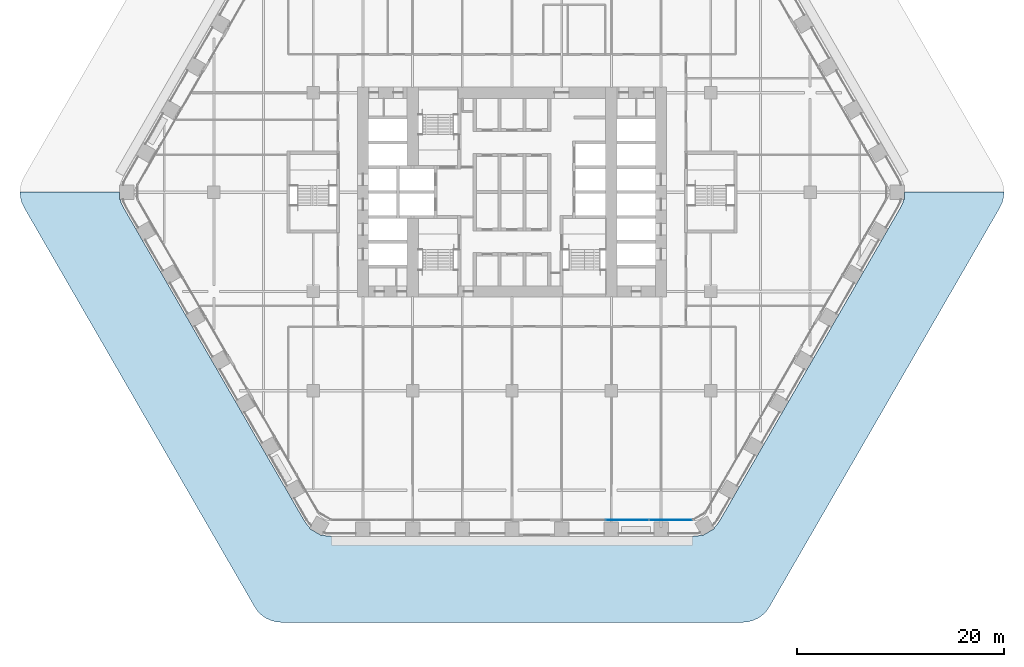
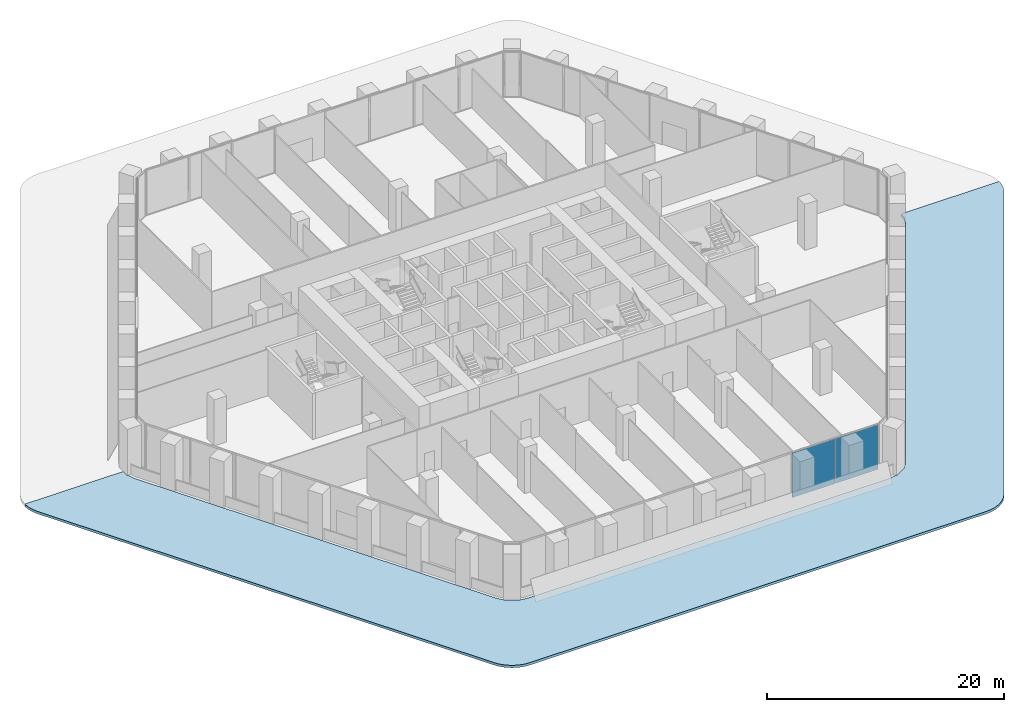
# One storey, part 15 of 29: 2 plates, 1 slab, 1 element without a shape of its own.
"""IFC4 building model written with IfcOpenShell, lengths in metres."""

from ifc_helpers import new_model, si_unit, direction, frame, origin, origin_2d, place, context, subcontext, project, spatial, polyline, rectangle, outline, extrude, material, layer, layer_set, type_object, element, aggregate, save


model = new_model("IFC4")

# Units and contexts
model_context = context("Model", 3, precision=1e-05, world=origin(), true_north=direction((0.0, 1.0)))
body_context = subcontext(model_context, "Body", "Model", "MODEL_VIEW")
ifc_project = project(units=[si_unit("LENGTHUNIT", "METRE"), si_unit("AREAUNIT", "SQUARE_METRE"), si_unit("VOLUMEUNIT", "CUBIC_METRE"), si_unit("PLANEANGLEUNIT", "RADIAN"), si_unit("MASSUNIT", "GRAM", prefix="KILO")], contexts=[model_context])

# Site, building, storey
site_placement = place(None, origin())
site = spatial("IfcSite", under=ifc_project, at=site_placement, CompositionType="ELEMENT")
building_placement = place(site_placement, origin())
building = spatial("IfcBuilding", under=site, at=building_placement, Name="Kolab Exchange Tower", CompositionType="ELEMENT")
storey_placement = place(building_placement, frame((0.0, 0.0, 17.39990234375)))
storey = spatial("IfcBuildingStorey", under=building, at=storey_placement, Name="L03", CompositionType="ELEMENT", Elevation=17.39990234375)

# Slab
ifc_material_1 = material(Name="Concrete C35/45", Category="concrete")
ifc_layer_1 = layer(ifc_material_1, 0.25)
ifc_layer_set_1 = layer_set([ifc_layer_1], Name="Concrete C35/45")
slab_type = type_object("IfcSlabType", Name="TERRACE SLAB 250 PLANTED", PredefinedType="ROOF", material=ifc_layer_set_1)
slab_placement = place(storey_placement, frame((0.0, 0.0, -0.25)))
element("IfcSlab", 1, at=slab_placement, inside=storey, type_object=slab_type, Name="slab/L02/podium-3/1", PredefinedType="ROOF", context=body_context, shape_type="SweptSolid", body=[
    extrude(outline(polyline([(47.535888671875, 0.0), (37.935791015625, 0.0), (37.935791015625, -0.699951171875), (37.84228515625, -0.699951171875), (37.7548828125, -1.026123046875), (37.533935546875, -1.5), (23.915771484375, -25.087646484375), (23.64990234375, -25.5478515625), (21.949951171875, -28.4921875), (21.25, -29.70458984375), (20.06591796875, -31.75537109375), (19.76611328125, -32.183837890625), (19.52734375, -32.42236328125), (19.57421875, -32.50341796875), (18.968017578125, -32.853515625), (18.36181640625, -33.203369140625), (18.31494140625, -33.122314453125), (17.989013671875, -33.209716796875), (17.468017578125, -33.25537109375), (15.10009765625, -33.25537109375), (13.699951171875, -33.25537109375), (10.300048828125, -33.25537109375), (8.89990234375, -33.25537109375), (5.5, -33.25537109375), (4.10009765625, -33.25537109375), (0.699951171875, -33.25537109375), (-0.699951171875, -33.25537109375), (-4.10009765625, -33.25537109375), (-5.5, -33.25537109375), (-8.89990234375, -33.25537109375), (-10.300048828125, -33.25537109375), (-13.699951171875, -33.25537109375), (-15.10009765625, -33.25537109375), (-17.468017578125, -33.25537109375), (-17.989013671875, -33.209716796875), (-18.31494140625, -33.122314453125), (-18.36181640625, -33.203369140625), (-18.968017578125, -32.853515625), (-19.57421875, -32.50341796875), (-19.52734375, -32.42236328125), (-19.76611328125, -32.183837890625), (-20.06591796875, -31.75537109375), (-21.25, -29.70458984375), (-21.949951171875, -28.4921875), (-23.64990234375, -25.5478515625), (-23.915771484375, -25.087646484375), (-37.533935546875, -1.5), (-37.7548828125, -1.026123046875), (-37.84228515625, -0.699951171875), (-37.935791015625, -0.699951171875), (-37.935791015625, 0.0), (-47.535888671875, 0.0), (-47.490234375, -0.52099609375), (-47.35498046875, -1.026123046875), (-47.134033203125, -1.5), (-24.865966796875, -40.0693359375), (-24.566162109375, -40.49755859375), (-24.1962890625, -40.867431640625), (-23.76806640625, -41.167236328125), (-23.2939453125, -41.38818359375), (-22.788818359375, -41.523681640625), (-22.26806640625, -41.5693359375), (22.26806640625, -41.5693359375), (22.788818359375, -41.523681640625), (23.2939453125, -41.38818359375), (23.76806640625, -41.167236328125), (24.1962890625, -40.867431640625), (24.566162109375, -40.49755859375), (24.865966796875, -40.0693359375), (47.134033203125, -1.5), (47.35498046875, -1.026123046875), (47.490234375, -0.52099609375), (47.535888671875, 0.0)])), origin(), (0.0, 0.0, 1.0), 0.25),
])

# Curtain wall, plates
ifc_material_2 = material(Name="Aluminium EN AW-6063 T6", Category="aluminium")
curtain_wall_type = type_object("IfcCurtainWallType", Name="UNITISED LOW ZONE CURTAIN WALL", PredefinedType="NOTDEFINED", material=ifc_material_2)
curtain_wall_placement = place(storey_placement, origin())
curtain_wall = element("IfcCurtainWall", 2, at=curtain_wall_placement, inside=storey, type_object=curtain_wall_type, Name="cw/L03/F4-1", PredefinedType="NOTDEFINED")
ifc_material_3 = material(Name="Clear insulated glazing unit", Category="glass")
ifc_layer_2 = layer(ifc_material_3, 0.02392578125)
ifc_layer_set_2 = layer_set([ifc_layer_2], Name="Clear insulated glazing unit")
plate_type = type_object("IfcPlateType", Name="UNITISED LOW ZONE GLASS PANEL 24", PredefinedType="CURTAIN_PANEL", material=ifc_layer_set_2)
plate_1_placement = place(storey_placement, frame((15.341552734375, -31.67529296875, 0.06005859375), z_axis=(0.0, 0.0, 1.0), x_axis=(-1.0, 0.0, 0.0)))
plate_1 = element("IfcPlate", 3, at=plate_1_placement, type_object=plate_type, Name="CW1 panel 1.1", PredefinedType="CURTAIN_PANEL", context=body_context, shape_type="SweptSolid", body=[
    extrude(rectangle(XDim=4.132568359375, YDim=0.02392578125, at=origin_2d()), origin(), (0.0, 0.0, 1.0), 4.6298828125),
])
plate_2_placement = place(storey_placement, frame((11.134033203125, -31.67529296875, 0.06005859375), z_axis=(0.0, 0.0, 1.0), x_axis=(-1.0, 0.0, 0.0)))
plate_2 = element("IfcPlate", 4, at=plate_2_placement, type_object=plate_type, Name="CW1 panel 2.1", PredefinedType="CURTAIN_PANEL", context=body_context, shape_type="SweptSolid", body=[
    extrude(rectangle(XDim=4.16259765625, YDim=0.02392578125, at=origin_2d()), origin(), (0.0, 0.0, 1.0), 4.6298828125),
])
aggregate(curtain_wall, [plate_1, plate_2])

save(model, "model.ifc")
